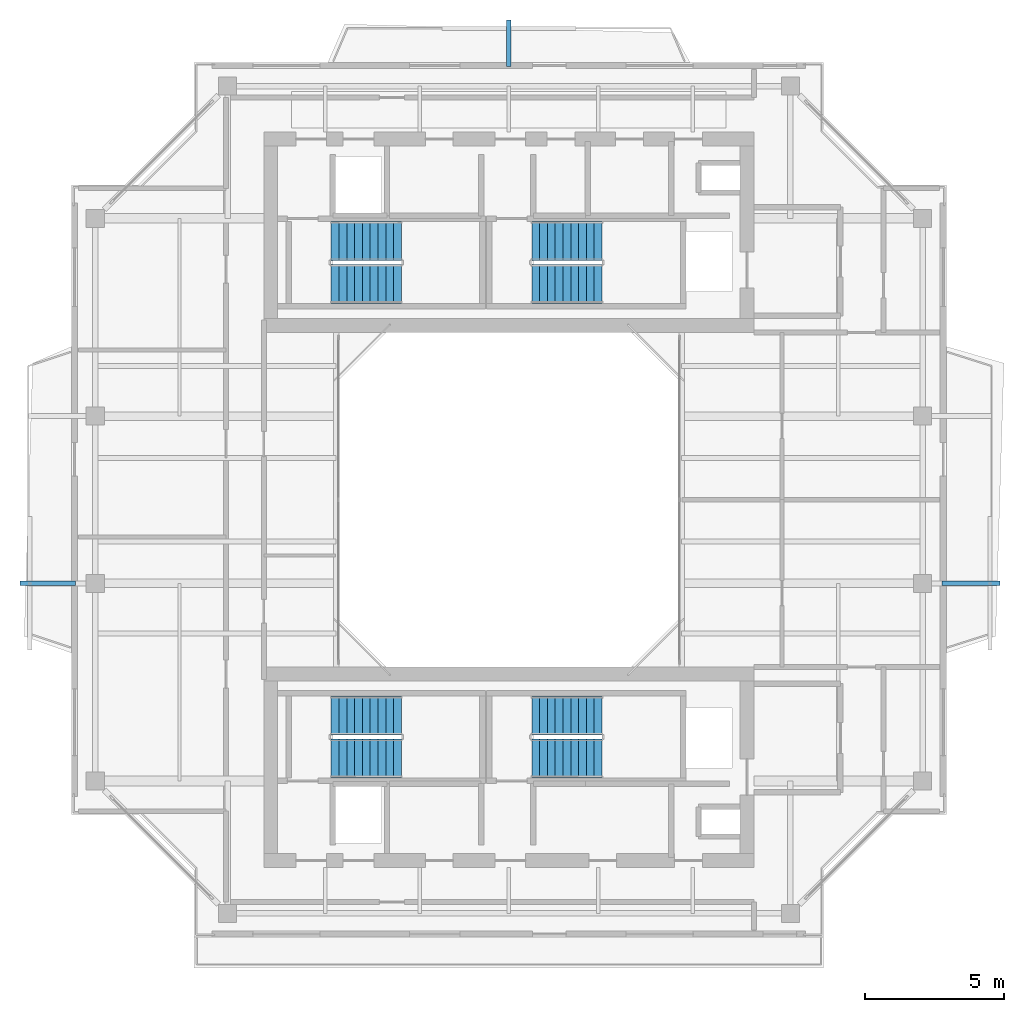
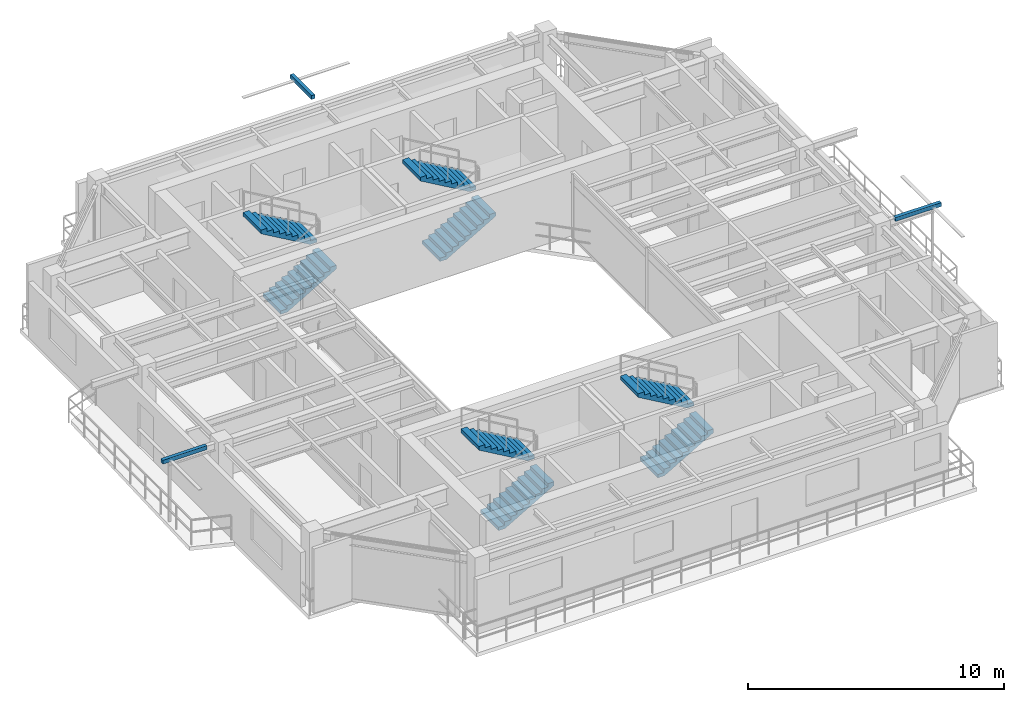
# One storey, part 12 of 15: 8 stair flights, 3 discrete accessories, 4 elements without a shape of their own.
"""IFC4 building model written with IfcOpenShell, lengths in metres."""

import ifcopenshell
import ifcopenshell.guid

model = None  # the IFC model being written
_history = None  # IfcOwnerHistory: only IFC2X3 demands one
_inside = {}  # id of a spatial element -> (the spatial element, [elements in it])
_under = {}  # id of a project, library or spatial element -> (it, [spatial elements below it])
_declared = {}  # id of a project -> (the project, [libraries it declares])
_typed = {}  # id of a type object -> (the type object, [elements of that type])
_made_of = {}  # id of a material, layer set ... -> (it, [elements and type objects made of it])


def new_model(schema):
    """Start an empty IFC model of exactly this schema.

    Asked for "IFC4X3", IfcOpenShell would pick the latest addendum, in which some entities
    have other attributes; the version numbers below select the first issue.
    IFC2X3 requires an IfcOwnerHistory on every rooted entity: one is made here for all.
    """
    global model, _history
    if schema == "IFC4X3":
        model = ifcopenshell.file(schema_version=(4, 3, 0, 0))
    else:
        model = ifcopenshell.file(schema=schema)
    _inside.clear()
    _under.clear()
    _declared.clear()
    _typed.clear()
    _made_of.clear()
    _history = None
    if model.schema == "IFC2X3":
        org = make("IfcOrganization", Name="unknown")
        user = make(
            "IfcPersonAndOrganization",
            ThePerson=make("IfcPerson", FamilyName="unknown"),
            TheOrganization=org,
        )
        app = make(
            "IfcApplication",
            ApplicationDeveloper=org,
            Version="unknown",
            ApplicationFullName="unknown",
            ApplicationIdentifier="unknown",
        )
        _history = make(
            "IfcOwnerHistory",
            OwningUser=user,
            OwningApplication=app,
            ChangeAction="ADDED",
            CreationDate=0,
        )
    return model


def make(cls, **values):
    """One entity of the class cls with the attributes given. An attribute that is None is left unset."""
    return model.create_entity(
        cls, **{name: value for name, value in values.items() if value is not None}
    )


def rooted(cls, **values):
    """An entity with a GlobalId (a new one), such as an element, a storey or a relation."""
    return make(cls, GlobalId=ifcopenshell.guid.new(), OwnerHistory=_history, **values)


def si_unit(unit_type, name, prefix=None):
    """IfcSIUnit, for example si_unit("LENGTHUNIT", "METRE", prefix="MILLI")."""
    return make("IfcSIUnit", UnitType=unit_type, Prefix=prefix, Name=name)


def assignment(units):
    """IfcUnitAssignment: the units of a project."""
    return None if units is None else make("IfcUnitAssignment", Units=units)


def point(xyz):
    """IfcCartesianPoint."""
    return None if xyz is None else make("IfcCartesianPoint", Coordinates=xyz)


def direction(xyz):
    """IfcDirection."""
    return None if xyz is None else make("IfcDirection", DirectionRatios=xyz)


def frame(location, z_axis=None, x_axis=None):
    """IfcAxis2Placement3D, a coordinate frame: its origin and axes. An axis left out is left unset."""
    return make(
        "IfcAxis2Placement3D",
        Location=point(location),
        Axis=direction(z_axis),
        RefDirection=direction(x_axis),
    )


def frame_2d(location, x_axis=None):
    """IfcAxis2Placement2D, a coordinate frame in the plane: its origin and x axis."""
    return make(
        "IfcAxis2Placement2D", Location=point(location), RefDirection=direction(x_axis)
    )


def origin():
    """The frame at (0, 0, 0) with its axes left unset."""
    return frame((0.0, 0.0, 0.0))


def origin_2d():
    """The frame at (0, 0) in the plane with its x axis left unset."""
    return frame_2d((0.0, 0.0))


def place(relative_to, where):
    """IfcLocalPlacement: puts the frame where relative to a parent placement (None: the world)."""
    return make(
        "IfcLocalPlacement", PlacementRelTo=relative_to, RelativePlacement=where
    )


def context(
    kind, dimensions, precision=None, world=None, true_north=None, identifier=None
):
    """IfcGeometricRepresentationContext, for example the 3D "Model" context."""
    return make(
        "IfcGeometricRepresentationContext",
        ContextIdentifier=identifier,
        ContextType=kind,
        CoordinateSpaceDimension=dimensions,
        Precision=precision,
        WorldCoordinateSystem=world,
        TrueNorth=true_north,
    )


def subcontext(parent, identifier, kind, view, scale=None):
    """IfcGeometricRepresentationSubContext, for example "Body" below "Model"."""
    return make(
        "IfcGeometricRepresentationSubContext",
        ContextIdentifier=identifier,
        ContextType=kind,
        ParentContext=parent,
        TargetScale=scale,
        TargetView=view,
    )


def project(units=None, contexts=None):
    """IfcProject with its units and contexts."""
    return rooted(
        "IfcProject",
        Name="project",
        RepresentationContexts=contexts,
        UnitsInContext=assignment(units),
    )


def spatial(cls, under=None, at=None, **own):
    """A site, building, storey or space (cls), placed at a placement, below another one or the project."""
    s = rooted(cls, ObjectPlacement=at, **own)
    if under is not None:
        _under.setdefault(under.id(), (under, []))[1].append(s)
    return s


def polyline(points):
    """IfcPolyline through the points."""
    return make("IfcPolyline", Points=[point(p) for p in points])


def profile(cls, at=None, kind="AREA", **sizes):
    """A parametric profile (cls). Its sizes go by their IFC names, for example OverallWidth=200.0."""
    return make(cls, ProfileType=kind, Position=at, **sizes)


def rectangle(**sizes):
    """IfcRectangleProfileDef."""
    return profile("IfcRectangleProfileDef", **sizes)


def outline(outer, holes=None, kind="AREA"):
    """IfcArbitraryClosedProfileDef: a profile drawn as a closed curve; with holes, ...WithVoids."""
    if holes is None:
        return make("IfcArbitraryClosedProfileDef", ProfileType=kind, OuterCurve=outer)
    return make(
        "IfcArbitraryProfileDefWithVoids",
        ProfileType=kind,
        OuterCurve=outer,
        InnerCurves=holes,
    )


def extrude(swept, where, along, depth):
    """IfcExtrudedAreaSolid: the profile swept, set in the frame where, extruded along a direction by depth."""
    return make(
        "IfcExtrudedAreaSolid",
        SweptArea=swept,
        Position=where,
        ExtrudedDirection=direction(along),
        Depth=depth,
    )


def shape(context_of_items, identifier, shape_type, items):
    """IfcShapeRepresentation: the items that make up one representation, for example the "Body"."""
    return make(
        "IfcShapeRepresentation",
        ContextOfItems=context_of_items,
        RepresentationIdentifier=identifier,
        RepresentationType=shape_type,
        Items=items,
    )


def source(mapping_origin, context_of_items, identifier, shape_type, items):
    """IfcRepresentationMap: a shape defined once, which mapped items show again and again."""
    return make(
        "IfcRepresentationMap",
        MappingOrigin=mapping_origin,
        MappedRepresentation=shape(context_of_items, identifier, shape_type, items),
    )


def transform(
    local_origin,
    x_axis=None,
    y_axis=None,
    z_axis=None,
    scale=None,
    scale2=None,
    scale3=None,
    uniform=True,
):
    """IfcCartesianTransformationOperator3D, or its non-uniform kind. x_axis, y_axis, z_axis: its Axis1, 2, 3."""
    if uniform:
        return make(
            "IfcCartesianTransformationOperator3D",
            Axis1=direction(x_axis),
            Axis2=direction(y_axis),
            LocalOrigin=point(local_origin),
            Scale=scale,
            Axis3=direction(z_axis),
        )
    return make(
        "IfcCartesianTransformationOperator3DnonUniform",
        Axis1=direction(x_axis),
        Axis2=direction(y_axis),
        LocalOrigin=point(local_origin),
        Scale=scale,
        Axis3=direction(z_axis),
        Scale2=scale2,
        Scale3=scale3,
    )


def mapped(mapping_source, mapping_target):
    """IfcMappedItem: shows the shape of a source again, moved by a transform."""
    return make(
        "IfcMappedItem", MappingSource=mapping_source, MappingTarget=mapping_target
    )


def material(Name=None, Category=None):
    """IfcMaterial."""
    return make("IfcMaterial", Name=Name, Category=Category)


def made_of(thing, what):
    """Note that an element or type object is made of a material, layer set ...; save() writes the relation."""
    if what is not None:
        _made_of.setdefault(what.id(), (what, []))[1].append(thing)
    return thing


def type_object(cls, material=None, **own):
    """A type object (cls), such as IfcWallType, which elements share."""
    return made_of(rooted(cls, **own), material)


def element(
    cls,
    number,
    at=None,
    inside=None,
    cuts=None,
    type_object=None,
    material=None,
    context=None,
    identifier="Body",
    shape_type=None,
    held_by="IfcProductDefinitionShape",
    body=None,
    shapes=None,
    **own,
):
    """One element of the class cls, such as IfcWall. Its Tag is "e" and its number.

    at: its placement. inside: the storey or other place that contains it. cuts: it is an
    opening in that element (IfcRelVoidsElement). A single representation is given by context,
    identifier, shape_type and body (its items); several are given by shapes. held_by: the class
    of the entity that holds the representations. save() writes the other relations.
    """
    e = rooted(cls, Tag="e%d" % number, ObjectPlacement=at, **own)
    if body is not None:
        shapes = [shape(context, identifier, shape_type, body)]
    if shapes is not None:
        e.Representation = make(held_by, Representations=shapes)
    if inside is not None:
        _inside.setdefault(inside.id(), (inside, []))[1].append(e)
    if cuts is not None:
        rooted(
            "IfcRelVoidsElement", RelatingBuildingElement=cuts, RelatedOpeningElement=e
        )
    if type_object is not None:
        _typed.setdefault(type_object.id(), (type_object, []))[1].append(e)
    return made_of(e, material)


def aggregate(whole, parts):
    """IfcRelAggregates: a whole, such as a stair, and the parts it consists of."""
    return rooted("IfcRelAggregates", RelatingObject=whole, RelatedObjects=parts)


def save(model, path):
    """Write the relations noted so far, then the file.

    IfcRelAggregates (storeys below a building ...), IfcRelContainedInSpatialStructure (elements
    in a storey), IfcRelDefinesByType, IfcRelAssociatesMaterial and IfcRelDeclares: one each for
    every whole, place, type object, material and project.
    """
    for whole, parts in _under.values():
        aggregate(whole, parts)
    for where, things in _inside.values():
        rooted(
            "IfcRelContainedInSpatialStructure",
            RelatedElements=things,
            RelatingStructure=where,
        )
    for kind, things in _typed.values():
        rooted("IfcRelDefinesByType", RelatedObjects=things, RelatingType=kind)
    for what, things in _made_of.values():
        rooted("IfcRelAssociatesMaterial", RelatedObjects=things, RelatingMaterial=what)
    for by, libraries in _declared.values():
        rooted("IfcRelDeclares", RelatingContext=by, RelatedDefinitions=libraries)
    model.write(path)


model = new_model("IFC4")

# Units and contexts
model_context = context("Model", 3, precision=1e-05, world=origin(), true_north=direction((0.0, 1.0)))
body_context = subcontext(model_context, "Body", "Model", "MODEL_VIEW")
ifc_project = project(units=[si_unit("LENGTHUNIT", "METRE"), si_unit("AREAUNIT", "SQUARE_METRE"), si_unit("VOLUMEUNIT", "CUBIC_METRE"), si_unit("PLANEANGLEUNIT", "RADIAN"), si_unit("MASSUNIT", "GRAM", prefix="KILO"), si_unit("THERMODYNAMICTEMPERATUREUNIT", "KELVIN"), si_unit("POWERUNIT", "WATT")], contexts=[model_context])

# Site, building, storey
site_placement = place(None, origin())
site = spatial("IfcSite", under=ifc_project, at=site_placement, CompositionType="ELEMENT")
building_placement = place(site_placement, origin())
building = spatial("IfcBuilding", under=site, at=building_placement, Name="Qiaomeng Ring Towers", CompositionType="ELEMENT")
storey_placement = place(building_placement, frame((0.0, 0.0, 237.25)))
storey = spatial("IfcBuildingStorey", under=building, at=storey_placement, Name="L69", CompositionType="ELEMENT", Elevation=237.25)

# Stair, stair flights
ifc_material_1 = material(Name="Precast concrete C40", Category="concrete")
stair_type = type_object("IfcStairType", Name="ARC-ST-325", PredefinedType="HALF_TURN_STAIR", material=ifc_material_1)
stair_1_placement = place(storey_placement, origin())
stair_1 = element("IfcStair", 1, at=stair_1_placement, inside=storey, type_object=stair_type, Name="L69 Tower 1 North Stair 1", PredefinedType="HALF_TURN_STAIR")
stair_flight_type = type_object("IfcStairFlightType", Name="ARC-ST-325-FL", PredefinedType="STRAIGHT", material=ifc_material_1)
shared_shape_1 = source(origin(), body_context, "Body", "SweptSolid", [
    extrude(outline(polyline([(0.0, 0.0), (0.0, 0.16259765625), (0.280029296875, 0.16259765625), (0.280029296875, 0.324951171875), (0.56005859375, 0.324951171875), (0.56005859375, 0.487548828125), (0.840087890625, 0.487548828125), (0.840087890625, 0.64990234375), (1.1201171875, 0.64990234375), (1.1201171875, 0.8125), (1.39990234375, 0.8125), (1.39990234375, 0.97509765625), (1.679931640625, 0.97509765625), (1.679931640625, 1.137451171875), (1.9599609375, 1.137451171875), (1.9599609375, 1.300048828125), (2.239990234375, 1.300048828125), (2.239990234375, 1.46240234375), (2.52001953125, 1.46240234375), (2.52001953125, 1.625), (2.52001953125, 1.2890625), (0.298583984375, 0.0), (0.0, 0.0)])), frame((0.0, 0.699951171875, 0.0), z_axis=(0.0, -1.0, 0.0), x_axis=(1.0, 0.0, 0.0)), (0.0, 0.0, 1.0), 1.39990234375),
])
stair_flight_1_placement = place(storey_placement, frame((12.6201171875, 30.75, 0.0), z_axis=(0.0, 0.0, 1.0), x_axis=(1.0, 0.0, 0.0)))
stair_flight_1 = element("IfcStairFlight", 2, at=stair_flight_1_placement, type_object=stair_flight_type, Name="ST1 flight 1", NumberOfRisers=10, NumberOfTreads=9, PredefinedType="STRAIGHT", RiserHeight=0.1625, TreadLength=0.28, context=body_context, shape_type="MappedRepresentation", body=[
    mapped(shared_shape_1, transform((0.0, 0.0, 0.0), x_axis=(1.0, 0.0, 0.0), y_axis=(0.0, 1.0, 0.0), z_axis=(0.0, 0.0, 1.0), scale=1.0)),
])
stair_flight_2_placement = place(storey_placement, frame((15.139892578125, 32.2900390625, 1.625), z_axis=(0.0, 0.0, 1.0), x_axis=(-1.0, 0.0, 0.0)))
stair_flight_2 = element("IfcStairFlight", 3, at=stair_flight_2_placement, type_object=stair_flight_type, Name="ST1 flight 2", NumberOfRisers=10, NumberOfTreads=9, PredefinedType="STRAIGHT", RiserHeight=0.1625, TreadLength=0.28, context=body_context, shape_type="MappedRepresentation", body=[
    mapped(shared_shape_1, transform((0.0, 0.0, 0.0), x_axis=(1.0, 0.0, 0.0), y_axis=(0.0, 1.0, 0.0), z_axis=(0.0, 0.0, 1.0), scale=1.0)),
])
aggregate(stair_1, [stair_flight_1, stair_flight_2])

stair_2_placement = place(storey_placement, origin())
stair_2 = element("IfcStair", 4, at=stair_2_placement, inside=storey, type_object=stair_type, Name="L69 Tower 1 North Stair 2", PredefinedType="HALF_TURN_STAIR")
stair_flight_3_placement = place(storey_placement, frame((19.820068359375, 30.75, 0.0), z_axis=(0.0, 0.0, 1.0), x_axis=(1.0, 0.0, 0.0)))
stair_flight_3 = element("IfcStairFlight", 5, at=stair_flight_3_placement, type_object=stair_flight_type, Name="ST2 flight 1", NumberOfRisers=10, NumberOfTreads=9, PredefinedType="STRAIGHT", RiserHeight=0.1625, TreadLength=0.28, context=body_context, shape_type="MappedRepresentation", body=[
    mapped(shared_shape_1, transform((0.0, 0.0, 0.0), x_axis=(1.0, 0.0, 0.0), y_axis=(0.0, 1.0, 0.0), z_axis=(0.0, 0.0, 1.0), scale=1.0)),
])
stair_flight_4_placement = place(storey_placement, frame((22.340087890625, 32.2900390625, 1.625), z_axis=(0.0, 0.0, 1.0), x_axis=(-1.0, 0.0, 0.0)))
stair_flight_4 = element("IfcStairFlight", 6, at=stair_flight_4_placement, type_object=stair_flight_type, Name="ST2 flight 2", NumberOfRisers=10, NumberOfTreads=9, PredefinedType="STRAIGHT", RiserHeight=0.1625, TreadLength=0.28, context=body_context, shape_type="MappedRepresentation", body=[
    mapped(shared_shape_1, transform((0.0, 0.0, 0.0), x_axis=(1.0, 0.0, 0.0), y_axis=(0.0, 1.0, 0.0), z_axis=(0.0, 0.0, 1.0), scale=1.0)),
])
aggregate(stair_2, [stair_flight_3, stair_flight_4])

stair_3_placement = place(storey_placement, origin())
stair_3 = element("IfcStair", 7, at=stair_3_placement, inside=storey, type_object=stair_type, Name="L69 Tower 1 South Stair 3", PredefinedType="HALF_TURN_STAIR")
stair_flight_5_placement = place(storey_placement, frame((12.6201171875, 13.7099609375, 0.0), z_axis=(0.0, 0.0, 1.0), x_axis=(1.0, 0.0, 0.0)))
stair_flight_5 = element("IfcStairFlight", 8, at=stair_flight_5_placement, type_object=stair_flight_type, Name="ST3 flight 1", NumberOfRisers=10, NumberOfTreads=9, PredefinedType="STRAIGHT", RiserHeight=0.1625, TreadLength=0.28, context=body_context, shape_type="MappedRepresentation", body=[
    mapped(shared_shape_1, transform((0.0, 0.0, 0.0), x_axis=(1.0, 0.0, 0.0), y_axis=(0.0, 1.0, 0.0), z_axis=(0.0, 0.0, 1.0), scale=1.0)),
])
stair_flight_6_placement = place(storey_placement, frame((15.139892578125, 15.25, 1.625), z_axis=(0.0, 0.0, 1.0), x_axis=(-1.0, 0.0, 0.0)))
stair_flight_6 = element("IfcStairFlight", 9, at=stair_flight_6_placement, type_object=stair_flight_type, Name="ST3 flight 2", NumberOfRisers=10, NumberOfTreads=9, PredefinedType="STRAIGHT", RiserHeight=0.1625, TreadLength=0.28, context=body_context, shape_type="MappedRepresentation", body=[
    mapped(shared_shape_1, transform((0.0, 0.0, 0.0), x_axis=(1.0, 0.0, 0.0), y_axis=(0.0, 1.0, 0.0), z_axis=(0.0, 0.0, 1.0), scale=1.0)),
])
aggregate(stair_3, [stair_flight_5, stair_flight_6])

stair_4_placement = place(storey_placement, origin())
stair_4 = element("IfcStair", 10, at=stair_4_placement, inside=storey, type_object=stair_type, Name="L69 Tower 1 South Stair 4", PredefinedType="HALF_TURN_STAIR")
stair_flight_7_placement = place(storey_placement, frame((19.820068359375, 13.7099609375, 0.0), z_axis=(0.0, 0.0, 1.0), x_axis=(1.0, 0.0, 0.0)))
stair_flight_7 = element("IfcStairFlight", 11, at=stair_flight_7_placement, type_object=stair_flight_type, Name="ST4 flight 1", NumberOfRisers=10, NumberOfTreads=9, PredefinedType="STRAIGHT", RiserHeight=0.1625, TreadLength=0.28, context=body_context, shape_type="MappedRepresentation", body=[
    mapped(shared_shape_1, transform((0.0, 0.0, 0.0), x_axis=(1.0, 0.0, 0.0), y_axis=(0.0, 1.0, 0.0), z_axis=(0.0, 0.0, 1.0), scale=1.0)),
])
stair_flight_8_placement = place(storey_placement, frame((22.340087890625, 15.25, 1.625), z_axis=(0.0, 0.0, 1.0), x_axis=(-1.0, 0.0, 0.0)))
stair_flight_8 = element("IfcStairFlight", 12, at=stair_flight_8_placement, type_object=stair_flight_type, Name="ST4 flight 2", NumberOfRisers=10, NumberOfTreads=9, PredefinedType="STRAIGHT", RiserHeight=0.1625, TreadLength=0.28, context=body_context, shape_type="MappedRepresentation", body=[
    mapped(shared_shape_1, transform((0.0, 0.0, 0.0), x_axis=(1.0, 0.0, 0.0), y_axis=(0.0, 1.0, 0.0), z_axis=(0.0, 0.0, 1.0), scale=1.0)),
])
aggregate(stair_4, [stair_flight_7, stair_flight_8])

# Discrete accessories
ifc_material_2 = material(Name="Stainless steel 316", Category="steel")
discrete_accessory_type = type_object("IfcDiscreteAccessoryType", Name="ARC-ACC-BRACKET", PredefinedType="BRACKET", material=ifc_material_2)
shared_shape_2 = source(origin(), body_context, "Body", "SweptSolid", [
    extrude(rectangle(XDim=0.159912109375, YDim=1.669921875, at=origin_2d()), origin(), (0.0, 0.0, 1.0), 0.179931640625),
])
discrete_accessory_1_placement = place(storey_placement, frame((19.0, 39.385009765625, 2.89990234375), z_axis=(0.0, 0.0, 1.0), x_axis=(1.0, 0.0, 0.0)))
element("IfcDiscreteAccessory", 13, at=discrete_accessory_1_placement, inside=storey, type_object=discrete_accessory_type, Name="L69 Stainless Outer-Skin Tie Bracket N", PredefinedType="BRACKET", context=body_context, shape_type="MappedRepresentation", body=[
    mapped(shared_shape_2, transform((0.0, 0.0, 0.0), x_axis=(1.0, 0.0, 0.0), y_axis=(0.0, 1.0, 0.0), z_axis=(0.0, 0.0, 1.0), scale=1.0)),
])
shared_shape_3 = source(origin(), body_context, "Body", "SweptSolid", [
    extrude(rectangle(XDim=2.0, YDim=0.159912109375, at=origin_2d()), origin(), (0.0, 0.0, 1.0), 0.179931640625),
])
discrete_accessory_2_placement = place(storey_placement, frame((2.449951171875, 20.0, 2.89990234375), z_axis=(0.0, 0.0, 1.0), x_axis=(1.0, 0.0, 0.0)))
element("IfcDiscreteAccessory", 14, at=discrete_accessory_2_placement, inside=storey, type_object=discrete_accessory_type, Name="L69 Stainless Outer-Skin Tie Bracket W", PredefinedType="BRACKET", context=body_context, shape_type="MappedRepresentation", body=[
    mapped(shared_shape_3, transform((0.0, 0.0, 0.0), x_axis=(1.0, 0.0, 0.0), y_axis=(0.0, 1.0, 0.0), z_axis=(0.0, 0.0, 1.0), scale=1.0)),
])
shared_shape_4 = source(origin(), body_context, "Body", "SweptSolid", [
    extrude(rectangle(XDim=2.070068359375, YDim=0.159912109375, at=origin_2d()), origin(), (0.0, 0.0, 1.0), 0.179931640625),
])
discrete_accessory_3_placement = place(storey_placement, frame((35.5849609375, 20.0, 2.89990234375), z_axis=(0.0, 0.0, 1.0), x_axis=(1.0, 0.0, 0.0)))
element("IfcDiscreteAccessory", 15, at=discrete_accessory_3_placement, inside=storey, type_object=discrete_accessory_type, Name="L69 Stainless Outer-Skin Tie Bracket E", PredefinedType="BRACKET", context=body_context, shape_type="MappedRepresentation", body=[
    mapped(shared_shape_4, transform((0.0, 0.0, 0.0), x_axis=(1.0, 0.0, 0.0), y_axis=(0.0, 1.0, 0.0), z_axis=(0.0, 0.0, 1.0), scale=1.0)),
])

save(model, "model.ifc")
